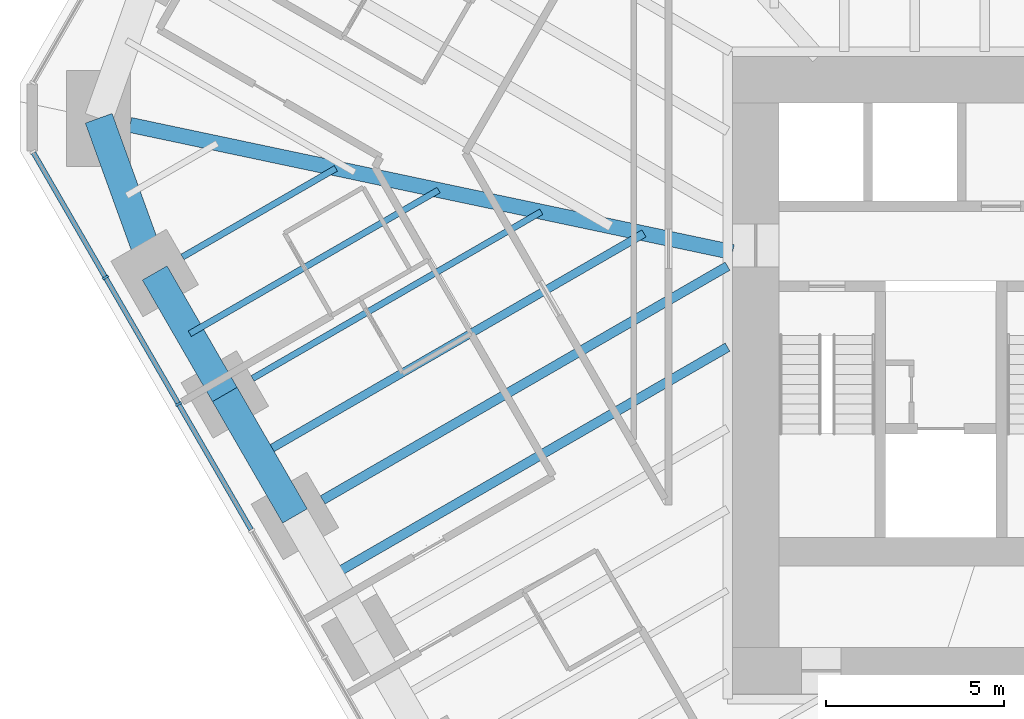
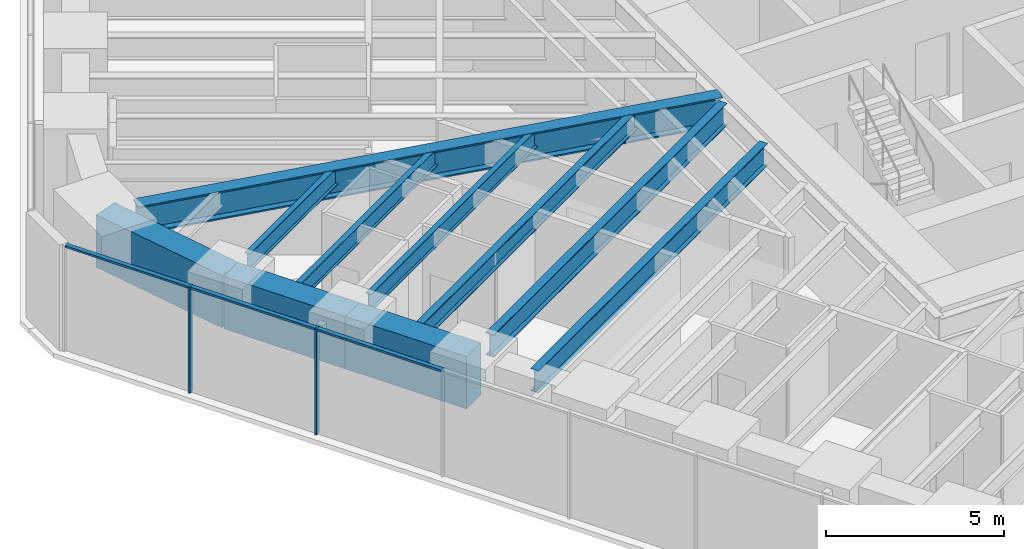
# One storey, part 3 of 16: 10 beams, 5 members, 1 element without a shape of its own.
"""IFC4 building model written with IfcOpenShell, lengths in metres."""

from ifc_helpers import new_model, si_unit, direction, frame, origin, origin_2d, place, context, subcontext, project, spatial, rectangle, i_section, extrude, material, material_profile, profile_set, type_object, element, aggregate, save


model = new_model("IFC4")

# Units and contexts
model_context = context("Model", 3, precision=1e-05, world=origin(), true_north=direction((0.0, 1.0)))
body_context = subcontext(model_context, "Body", "Model", "MODEL_VIEW")
ifc_project = project(units=[si_unit("LENGTHUNIT", "METRE"), si_unit("AREAUNIT", "SQUARE_METRE"), si_unit("VOLUMEUNIT", "CUBIC_METRE"), si_unit("PLANEANGLEUNIT", "RADIAN"), si_unit("MASSUNIT", "GRAM", prefix="KILO")], contexts=[model_context])

# Site, building, storey
site_placement = place(None, origin())
site = spatial("IfcSite", under=ifc_project, at=site_placement, CompositionType="ELEMENT")
building_placement = place(site_placement, origin())
building = spatial("IfcBuilding", under=site, at=building_placement, Name="Sandreach Pilgrim Tower", CompositionType="ELEMENT")
storey_placement = place(building_placement, frame((0.0, 0.0, 115.800048828125)))
storey = spatial("IfcBuildingStorey", under=building, at=storey_placement, Name="L28", CompositionType="ELEMENT", Elevation=115.800048828125)

# Curtain wall, members
ifc_material_1 = material(Name="Aluminium framed curtain wall", Category="aluminium")
curtain_wall_type = type_object("IfcCurtainWallType", Name="Hotel tower curtain wall", PredefinedType="NOTDEFINED", material=ifc_material_1)
curtain_wall_placement = place(storey_placement, origin())
curtain_wall = element("IfcCurtainWall", 1, at=curtain_wall_placement, inside=storey, type_object=curtain_wall_type, Name="CW-2 L28 SW", PredefinedType="NOTDEFINED")
ifc_material_2 = material(Name="Aluminium extrusion", Category="aluminium")
ifc_material_profile_1 = material_profile(ifc_material_2, rectangle(XDim=0.06494140625, YDim=0.179931640625, at=origin_2d()), Name="CW-2M 65X180")
ifc_profile_set_1 = profile_set([ifc_material_profile_1], Name="Aluminium extrusion")
member_type_1 = type_object("IfcMemberType", Name="CW-2 mullion", PredefinedType="MULLION", material=ifc_profile_set_1)
member_1_placement = place(storey_placement, frame((-24.614013671875, -2.35498046875, 0.0), z_axis=(0.0, 0.0, 1.0), x_axis=(-0.5, 0.866025403784, 0.0)))
member_1 = element("IfcMember", 2, at=member_1_placement, type_object=member_type_1, Name="CW-2 mullion 8", PredefinedType="MULLION", context=body_context, shape_type="SweptSolid", body=[
    extrude(rectangle(XDim=0.06494140625, YDim=0.179931640625, at=origin_2d()), origin(), (0.0, 0.0, 1.0), 3.639892578125),
])
member_2_placement = place(storey_placement, frame((-26.66748046875, 1.20166015625, 0.0), z_axis=(0.0, 0.0, 1.0), x_axis=(-0.5, 0.866025403784, 0.0)))
member_2 = element("IfcMember", 3, at=member_2_placement, type_object=member_type_1, Name="CW-2 mullion 9", PredefinedType="MULLION", context=body_context, shape_type="SweptSolid", body=[
    extrude(rectangle(XDim=0.06494140625, YDim=0.179931640625, at=origin_2d()), origin(), (0.0, 0.0, 1.0), 3.639892578125),
])
ifc_material_3 = material(Name="Aluminium extrusion", Category="aluminium")
ifc_material_profile_2 = material_profile(ifc_material_3, rectangle(XDim=0.139892578125, YDim=0.070068359375, at=origin_2d()), Name="CW-2T 140X70")
ifc_profile_set_2 = profile_set([ifc_material_profile_2], Name="Aluminium extrusion")
member_type_2 = type_object("IfcMemberType", Name="CW-2 transom", PredefinedType="USERDEFINED", material=ifc_profile_set_2)
member_3_placement = place(storey_placement, frame((-22.57666015625, -5.883544921875, 3.60498046875), z_axis=(-0.500023973715, 0.866011562111, 0.0), x_axis=(-0.866011562111, -0.500023973715, 0.0)))
member_3 = element("IfcMember", 4, at=member_3_placement, type_object=member_type_2, Name="CW-2 head transom 7", ObjectType="TRANSOM", PredefinedType="USERDEFINED", context=body_context, shape_type="SweptSolid", body=[
    extrude(rectangle(XDim=0.139892578125, YDim=0.070068359375, at=origin_2d()), origin(), (0.0, 0.0, 1.0), 4.041748046875),
])
member_4_placement = place(storey_placement, frame((-24.630126953125, -2.326904296875, 3.60498046875), z_axis=(-0.499997818338, 0.866026663364, 0.0), x_axis=(-0.866026663364, -0.499997818338, 0.0)))
member_4 = element("IfcMember", 5, at=member_4_placement, type_object=member_type_2, Name="CW-2 head transom 8", ObjectType="TRANSOM", PredefinedType="USERDEFINED", context=body_context, shape_type="SweptSolid", body=[
    extrude(rectangle(XDim=0.139892578125, YDim=0.070068359375, at=origin_2d()), origin(), (0.0, 0.0, 1.0), 4.0419921875),
])
member_5_placement = place(storey_placement, frame((-26.68359375, 1.229736328125, 3.60498046875), z_axis=(-0.500015851672, 0.866016251624, 0.0), x_axis=(-0.866016251624, -0.500015851672, 0.0)))
member_5 = element("IfcMember", 6, at=member_5_placement, type_object=member_type_2, Name="CW-2 head transom 9", ObjectType="TRANSOM", PredefinedType="USERDEFINED", context=body_context, shape_type="SweptSolid", body=[
    extrude(rectangle(XDim=0.139892578125, YDim=0.070068359375, at=origin_2d()), origin(), (0.0, 0.0, 1.0), 4.009521484375),
])
aggregate(curtain_wall, [member_1, member_2, member_3, member_4, member_5])

# Beams
ifc_material_4 = material(Name="Steel ASTM A992 Grade 50", Category="steel")
ifc_material_profile_3 = material_profile(ifc_material_4, i_section(OverallWidth=0.424072265625, OverallDepth=0.965087890625, WebThickness=0.028564453125, FlangeThickness=0.051025390625, at=origin_2d()), Name="W36X361")
ifc_profile_set_3 = profile_set([ifc_material_profile_3], Name="Steel ASTM A992 Grade 50")
beam_type_1 = type_object("IfcBeamType", Name="Corner girder W36X361", PredefinedType="BEAM", material=ifc_profile_set_3)
beam_1_placement = place(storey_placement, frame((-25.976806640625, 5.484619140625, 3.157470703125), z_axis=(0.978427882284, -0.206588671447, 0.0), x_axis=(0.206588671447, 0.978427882284, 0.0)))
element("IfcBeam", 7, at=beam_1_placement, inside=storey, type_object=beam_type_1, Name="BM L28 CG35", PredefinedType="BEAM", context=body_context, shape_type="SweptSolid", body=[
    extrude(i_section(OverallWidth=0.424072265625, OverallDepth=0.965087890625, WebThickness=0.028564453125, FlangeThickness=0.051025390625, at=origin_2d()), origin(), (0.0, 0.0, 1.0), 17.300048828125),
])
ifc_material_5 = material(Name="Steel ASTM A992 Grade 50", Category="steel")
ifc_material_profile_4 = material_profile(ifc_material_5, i_section(OverallWidth=0.1787109375, OverallDepth=0.60205078125, WebThickness=0.010986328125, FlangeThickness=0.014892578125, at=origin_2d()), Name="W24X62")
ifc_profile_set_4 = profile_set([ifc_material_profile_4], Name="Steel ASTM A992 Grade 50")
beam_type_2 = type_object("IfcBeamType", Name="Floor beam W24X62", PredefinedType="BEAM", material=ifc_profile_set_4)
beam_2_placement = place(storey_placement, frame((-22.534423828125, -1.63671875, 3.3388671875), z_axis=(0.866012351917, 0.500022605817, 0.0), x_axis=(-0.500022605817, 0.866012351917, 0.0)))
element("IfcBeam", 8, at=beam_2_placement, inside=storey, type_object=beam_type_2, Name="BM L28 F33", PredefinedType="BEAM", context=body_context, shape_type="SweptSolid", body=[
    extrude(i_section(OverallWidth=0.1787109375, OverallDepth=0.60205078125, WebThickness=0.010986328125, FlangeThickness=0.014892578125, at=origin_2d()), origin(), (0.0, 0.0, 1.0), 9.3642578125),
])
beam_3_placement = place(storey_placement, frame((-24.50439453125, 1.775390625, 3.3388671875), z_axis=(0.866024645457, 0.500001313459, 0.0), x_axis=(-0.500001313459, 0.866024645457, 0.0)))
element("IfcBeam", 9, at=beam_3_placement, inside=storey, type_object=beam_type_2, Name="BM L28 F34", PredefinedType="BEAM", context=body_context, shape_type="SweptSolid", body=[
    extrude(i_section(OverallWidth=0.1787109375, OverallDepth=0.60205078125, WebThickness=0.010986328125, FlangeThickness=0.014892578125, at=origin_2d()), origin(), (0.0, 0.0, 1.0), 4.9765625),
])
beam_4_placement = place(storey_placement, frame((-24.298828125, -0.380615234375, 3.3388671875), z_axis=(0.866022864518, 0.500004398112, 0.0), x_axis=(-0.500004398112, 0.866022864518, 0.0)))
element("IfcBeam", 10, at=beam_4_placement, inside=storey, type_object=beam_type_2, Name="BM L28 FM33", PredefinedType="BEAM", context=body_context, shape_type="SweptSolid", body=[
    extrude(i_section(OverallWidth=0.1787109375, OverallDepth=0.60205078125, WebThickness=0.010986328125, FlangeThickness=0.014892578125, at=origin_2d()), origin(), (0.0, 0.0, 1.0), 8.0703125),
])
ifc_material_6 = material(Name="Steel ASTM A992 Grade 50", Category="steel")
ifc_material_profile_5 = material_profile(ifc_material_6, i_section(OverallWidth=0.23046875, OverallDepth=0.6171875, WebThickness=0.01318359375, FlangeThickness=0.022216796875, at=origin_2d()), Name="W24X94")
ifc_profile_set_5 = profile_set([ifc_material_profile_5], Name="Steel ASTM A992 Grade 50")
beam_type_3 = type_object("IfcBeamType", Name="Floor beam W24X94", PredefinedType="BEAM", material=ifc_profile_set_5)
beam_5_placement = place(storey_placement, frame((-22.328857421875, -3.792724609375, 3.331298828125), z_axis=(0.866019150617, 0.500010830648, 0.0), x_axis=(-0.500010830648, 0.866019150617, 0.0)))
element("IfcBeam", 11, at=beam_5_placement, inside=storey, type_object=beam_type_3, Name="BM L28 FM32", PredefinedType="BEAM", context=body_context, shape_type="SweptSolid", body=[
    extrude(i_section(OverallWidth=0.23046875, OverallDepth=0.6171875, WebThickness=0.01318359375, FlangeThickness=0.022216796875, at=origin_2d()), origin(), (0.0, 0.0, 1.0), 12.458251953125),
])
ifc_material_7 = material(Name="Steel ASTM A992 Grade 50", Category="steel")
ifc_material_profile_6 = material_profile(ifc_material_7, i_section(OverallWidth=0.2666015625, OverallDepth=0.761962890625, WebThickness=0.014404296875, FlangeThickness=0.021484375, at=origin_2d()), Name="W30X116")
ifc_profile_set_6 = profile_set([ifc_material_profile_6], Name="Steel ASTM A992 Grade 50")
beam_type_4 = type_object("IfcBeamType", Name="Floor beam W30X116", PredefinedType="BEAM", material=ifc_profile_set_6)
beam_6_placement = place(storey_placement, frame((-20.564453125, -5.048828125, 3.259033203125), z_axis=(0.866022715736, 0.500004655807, 0.0), x_axis=(-0.500004655807, 0.866022715736, 0.0)))
element("IfcBeam", 12, at=beam_6_placement, inside=storey, type_object=beam_type_4, Name="BM L28 F32", PredefinedType="BEAM", context=body_context, shape_type="SweptSolid", body=[
    extrude(i_section(OverallWidth=0.2666015625, OverallDepth=0.761962890625, WebThickness=0.014404296875, FlangeThickness=0.021484375, at=origin_2d()), origin(), (0.0, 0.0, 1.0), 13.130126953125),
])
beam_7_placement = place(storey_placement, frame((-20.35888671875, -7.204833984375, 3.259033203125), z_axis=(0.866021609098, 0.500006572533, 0.0), x_axis=(-0.500006572533, 0.866021609098, 0.0)))
element("IfcBeam", 13, at=beam_7_placement, inside=storey, type_object=beam_type_4, Name="BM L28 FM31", PredefinedType="BEAM", context=body_context, shape_type="SweptSolid", body=[
    extrude(i_section(OverallWidth=0.2666015625, OverallDepth=0.761962890625, WebThickness=0.014404296875, FlangeThickness=0.021484375, at=origin_2d()), origin(), (0.0, 0.0, 1.0), 12.892822265625),
])
ifc_material_8 = material(Name="Concrete 10000 psi", Category="concrete")
ifc_material_profile_7 = material_profile(ifc_material_8, rectangle(XDim=0.800048828125, YDim=1.800048828125, at=origin_2d()), Name="RC800X1800")
ifc_profile_set_7 = profile_set([ifc_material_profile_7], Name="Concrete 10000 psi")
beam_type_5 = type_object("IfcBeamType", Name="Spandrel beam RC800X1800", PredefinedType="SPANDREL", material=ifc_profile_set_7)
for number, where, z_axis, x_axis, name in (
    (14, (-21.343994140625, -5.498779296875, 2.739990234375), (-0.49999779889, 0.866026674592, 0.0), (-0.866026674592, -0.49999779889, 0.0), "BM L28 SP32"),
    (15, (-23.31396484375, -2.086669921875, 2.739990234375), (-0.49999779889, 0.866026674592, 0.0), (-0.866026674592, -0.49999779889, 0.0), "BM L28 SP33"),
):
    element("IfcBeam", number, at=place(storey_placement, frame(where, z_axis=z_axis, x_axis=x_axis)), inside=storey, type_object=beam_type_5, Name=name, PredefinedType="SPANDREL", context=body_context, shape_type="SweptSolid", body=[
        extrude(rectangle(XDim=0.800048828125, YDim=1.800048828125, at=origin_2d()), origin(), (0.0, 0.0, 1.0), 3.93994140625),
    ])
beam_8_placement = place(storey_placement, frame((-25.283935546875, 1.325439453125, 2.739990234375), z_axis=(-0.340453163563, 0.940261476091, 0.0), x_axis=(-0.940261476091, -0.340453163563, 0.0)))
element("IfcBeam", 16, at=beam_8_placement, inside=storey, type_object=beam_type_5, Name="BM L28 SP34", PredefinedType="SPANDREL", context=body_context, shape_type="SweptSolid", body=[
    extrude(rectangle(XDim=0.800048828125, YDim=1.800048828125, at=origin_2d()), origin(), (0.0, 0.0, 1.0), 4.62109375),
])

save(model, "model.ifc")
